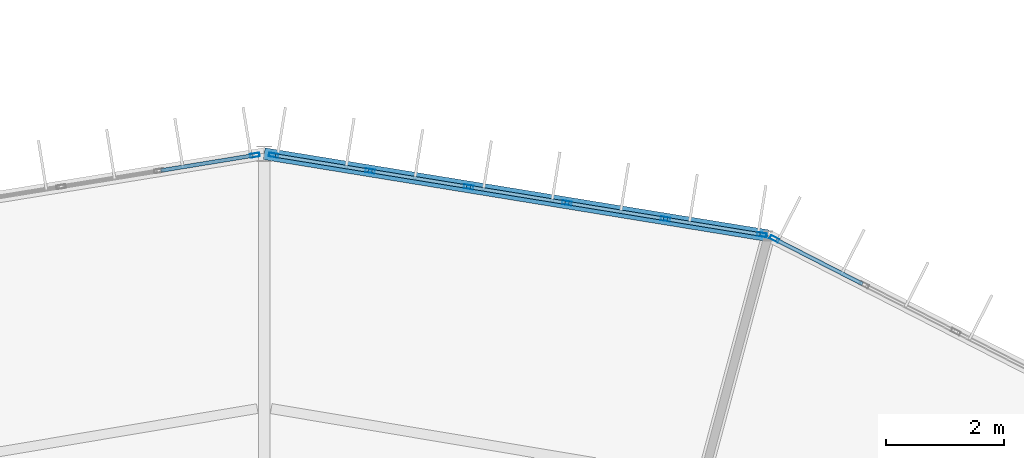
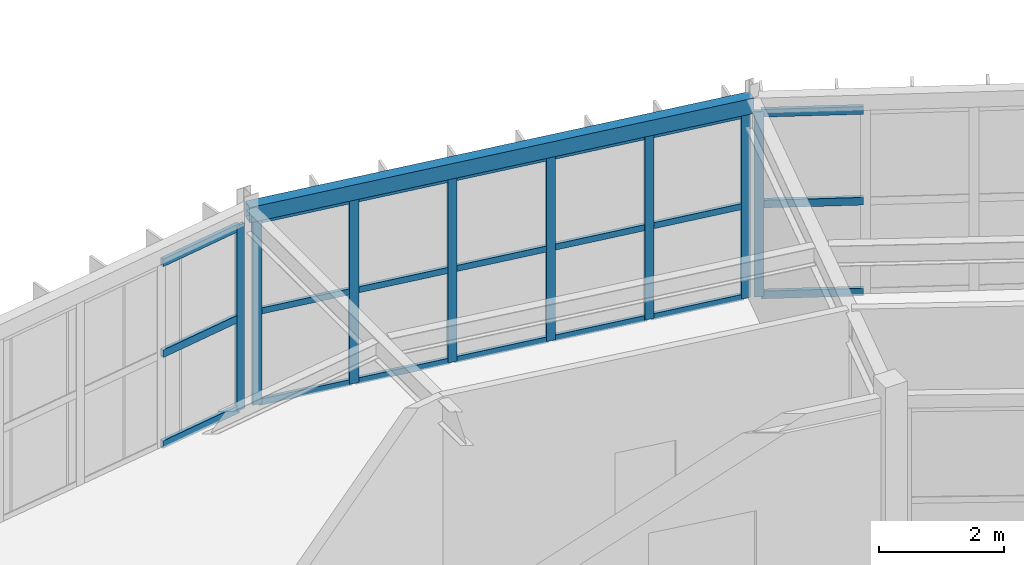
# One storey, part 101 of 157: 29 members, 1 beam, 3 elements without a shape of their own.
"""IFC4 building model written with IfcOpenShell, lengths in metres."""

from ifc_helpers import new_model, si_unit, direction, frame, origin, origin_2d, place, context, subcontext, project, spatial, hollow_rectangle, extrude, material, material_profile, profile_set, type_object, element, aggregate, save


model = new_model("IFC4")

# Units and contexts
model_context = context("Model", 3, precision=1e-05, world=origin(), true_north=direction((0.0, 1.0)))
body_context = subcontext(model_context, "Body", "Model", "MODEL_VIEW")
ifc_project = project(units=[si_unit("LENGTHUNIT", "METRE"), si_unit("AREAUNIT", "SQUARE_METRE"), si_unit("VOLUMEUNIT", "CUBIC_METRE"), si_unit("PLANEANGLEUNIT", "RADIAN"), si_unit("MASSUNIT", "GRAM", prefix="KILO")], contexts=[model_context])

# Site, building, storey
site_placement = place(None, origin())
site = spatial("IfcSite", under=ifc_project, at=site_placement, CompositionType="ELEMENT")
building_placement = place(site_placement, origin())
building = spatial("IfcBuilding", under=site, at=building_placement, Name="Karori Crest Natural Sciences Institute", CompositionType="ELEMENT")
storey_placement = place(building_placement, frame((0.0, 0.0, 13.300048828125)))
storey = spatial("IfcBuildingStorey", under=building, at=storey_placement, Name="L03", CompositionType="ELEMENT", Elevation=13.300048828125)

# Beam
ifc_material_1 = material(Name="Hollow structural steel AS/NZS 1163 Grade C350", Category="steel")
ifc_material_profile_1 = material_profile(ifc_material_1, hollow_rectangle(XDim=0.199951171875, YDim=0.300048828125, WallThickness=0.010009765625, at=origin_2d()), Name="RHS300x200x10")
ifc_profile_set_1 = profile_set([ifc_material_profile_1], Name="Hollow structural steel AS/NZS 1163 Grade C350")
beam_type = type_object("IfcBeamType", Name="BT-15", PredefinedType="SPANDREL", material=ifc_profile_set_1)
beam_placement = place(storey_placement, frame((74.94091796875, 89.309814453125, 3.7900390625), z_axis=(-0.987012055933, 0.160646199591, 0.0), x_axis=(-0.160646199591, -0.987012055933, 0.0)))
element("IfcBeam", 1, at=beam_placement, inside=storey, type_object=beam_type, Name="Beam B-0379", PredefinedType="SPANDREL", context=body_context, shape_type="SweptSolid", body=[
    extrude(hollow_rectangle(XDim=0.199951171875, YDim=0.300048828125, WallThickness=0.010009765625, at=origin_2d()), origin(), (0.0, 0.0, 1.0), 8.6533203125),
])

# Curtain wall, member
ifc_material_2 = material(Name="Anodised architectural aluminium 6063-T6", Category="aluminium")
curtain_wall_type_1 = type_object("IfcCurtainWallType", Name="CWT-05", PredefinedType="NOTDEFINED", material=ifc_material_2)
curtain_wall_1_placement = place(storey_placement, origin())
curtain_wall_1 = element("IfcCurtainWall", 2, at=curtain_wall_1_placement, inside=storey, type_object=curtain_wall_type_1, Name="Curtain wall CW-0106", PredefinedType="NOTDEFINED")
ifc_material_profile_2 = material_profile(ifc_material_2, hollow_rectangle(XDim=0.06494140625, YDim=0.159912109375, WallThickness=0.00390625, at=origin_2d()), Name="CWM160x65x4")
ifc_profile_set_2 = profile_set([ifc_material_profile_2], Name="Anodised architectural aluminium 6063-T6")
member_type_1 = type_object("IfcMemberType", Name="CWM-01", PredefinedType="MULLION", material=ifc_profile_set_2)
member_1_placement = place(storey_placement, frame((75.045166015625, 89.256591796875, 0.0), z_axis=(0.0, 0.0, 1.0), x_axis=(0.455828878252, 0.890067432138, 0.0)))
member_1 = element("IfcMember", 3, at=member_1_placement, type_object=member_type_1, Name="CW-0106 mullion 1", PredefinedType="MULLION", context=body_context, shape_type="SweptSolid", body=[
    extrude(hollow_rectangle(XDim=0.06494140625, YDim=0.159912109375, WallThickness=0.00390625, at=origin_2d()), origin(), (0.0, 0.0, 1.0), 3.625),
])

# Curtain wall, members
curtain_wall_type_2 = type_object("IfcCurtainWallType", Name="CWT-06", PredefinedType="NOTDEFINED", material=ifc_material_2)
curtain_wall_2_placement = place(storey_placement, origin())
curtain_wall_2 = element("IfcCurtainWall", 4, at=curtain_wall_2_placement, inside=storey, type_object=curtain_wall_type_2, Name="Curtain wall CW-0108", PredefinedType="NOTDEFINED")
member_2_placement = place(storey_placement, frame((66.55810546875, 90.67431640625, 0.0), z_axis=(0.0, 0.0, 1.0), x_axis=(0.160655493101, 0.987010543275, 0.0)))
member_2 = element("IfcMember", 5, at=member_2_placement, type_object=member_type_1, Name="CW-0108 mullion 1", PredefinedType="MULLION", context=body_context, shape_type="SweptSolid", body=[
    extrude(hollow_rectangle(XDim=0.06494140625, YDim=0.159912109375, WallThickness=0.00390625, at=origin_2d()), origin(), (0.0, 0.0, 1.0), 3.625),
])
member_3_placement = place(storey_placement, frame((68.194091796875, 90.407958984375, 0.0), z_axis=(0.0, 0.0, 1.0), x_axis=(0.160655493101, 0.987010543275, 0.0)))
member_3 = element("IfcMember", 6, at=member_3_placement, type_object=member_type_1, Name="CW-0108 mullion 2", PredefinedType="MULLION", context=body_context, shape_type="SweptSolid", body=[
    extrude(hollow_rectangle(XDim=0.06494140625, YDim=0.159912109375, WallThickness=0.00390625, at=origin_2d()), origin(), (0.0, 0.0, 1.0), 3.625),
])
member_4_placement = place(storey_placement, frame((69.862060546875, 90.136474609375, 0.0), z_axis=(0.0, 0.0, 1.0), x_axis=(0.160655493101, 0.987010543275, 0.0)))
member_4 = element("IfcMember", 7, at=member_4_placement, type_object=member_type_1, Name="CW-0108 mullion 3", PredefinedType="MULLION", context=body_context, shape_type="SweptSolid", body=[
    extrude(hollow_rectangle(XDim=0.06494140625, YDim=0.159912109375, WallThickness=0.00390625, at=origin_2d()), origin(), (0.0, 0.0, 1.0), 3.625),
])
member_5_placement = place(storey_placement, frame((71.530029296875, 89.864990234375, 0.0), z_axis=(0.0, 0.0, 1.0), x_axis=(0.160655493101, 0.987010543275, 0.0)))
member_5 = element("IfcMember", 8, at=member_5_placement, type_object=member_type_1, Name="CW-0108 mullion 4", PredefinedType="MULLION", context=body_context, shape_type="SweptSolid", body=[
    extrude(hollow_rectangle(XDim=0.06494140625, YDim=0.159912109375, WallThickness=0.00390625, at=origin_2d()), origin(), (0.0, 0.0, 1.0), 3.625),
])
member_6_placement = place(storey_placement, frame((73.197998046875, 89.593505859375, 0.0), z_axis=(0.0, 0.0, 1.0), x_axis=(0.160655493101, 0.987010543275, 0.0)))
member_6 = element("IfcMember", 9, at=member_6_placement, type_object=member_type_1, Name="CW-0108 mullion 5", PredefinedType="MULLION", context=body_context, shape_type="SweptSolid", body=[
    extrude(hollow_rectangle(XDim=0.06494140625, YDim=0.159912109375, WallThickness=0.00390625, at=origin_2d()), origin(), (0.0, 0.0, 1.0), 3.625),
])
member_7_placement = place(storey_placement, frame((74.833984375, 89.3271484375, 0.0), z_axis=(0.0, 0.0, 1.0), x_axis=(0.160655493101, 0.987010543275, 0.0)))
member_7 = element("IfcMember", 10, at=member_7_placement, type_object=member_type_1, Name="CW-0108 mullion 6", PredefinedType="MULLION", context=body_context, shape_type="SweptSolid", body=[
    extrude(hollow_rectangle(XDim=0.06494140625, YDim=0.159912109375, WallThickness=0.00390625, at=origin_2d()), origin(), (0.0, 0.0, 1.0), 3.625),
])

# Curtain wall, member
curtain_wall_type_3 = type_object("IfcCurtainWallType", Name="CWT-07", PredefinedType="NOTDEFINED", material=ifc_material_2)
curtain_wall_3_placement = place(storey_placement, origin())
curtain_wall_3 = element("IfcCurtainWall", 11, at=curtain_wall_3_placement, inside=storey, type_object=curtain_wall_type_3, Name="Curtain wall CW-0109", PredefinedType="NOTDEFINED")
member_8_placement = place(storey_placement, frame((66.241943359375, 90.67431640625, 0.0), z_axis=(0.0, 0.0, 1.0), x_axis=(-0.160650246484, 0.987011397252, 0.0)))
member_8 = element("IfcMember", 12, at=member_8_placement, type_object=member_type_1, Name="CW-0109 mullion 6", PredefinedType="MULLION", context=body_context, shape_type="SweptSolid", body=[
    extrude(hollow_rectangle(XDim=0.06494140625, YDim=0.159912109375, WallThickness=0.00390625, at=origin_2d()), origin(), (0.0, 0.0, 1.0), 3.625),
])

# Member
ifc_material_profile_3 = material_profile(ifc_material_2, hollow_rectangle(XDim=0.06005859375, YDim=0.1201171875, WallThickness=0.00390625, at=origin_2d()), Name="CWT120x60x4")
ifc_profile_set_3 = profile_set([ifc_material_profile_3], Name="Anodised architectural aluminium 6063-T6")
member_type_2 = type_object("IfcMemberType", Name="CWT-TR1", PredefinedType="USERDEFINED", material=ifc_profile_set_3)
member_9_placement = place(storey_placement, frame((66.590087890625, 90.6689453125, 0.030029296875), z_axis=(0.987032702113, -0.160519297781, 0.0), x_axis=(0.160519297781, 0.987032702113, 0.0)))
member_9 = element("IfcMember", 13, at=member_9_placement, type_object=member_type_2, Name="CW-0108 transom 1.1", ObjectType="TRANSOM", PredefinedType="USERDEFINED", context=body_context, shape_type="SweptSolid", body=[
    extrude(hollow_rectangle(XDim=0.06005859375, YDim=0.1201171875, WallThickness=0.00390625, at=origin_2d()), origin(), (0.0, 0.0, 1.0), 1.592529296875),
])

member_10_placement = place(storey_placement, frame((66.590087890625, 90.6689453125, 1.8125), z_axis=(0.987032702113, -0.160519297781, 0.0), x_axis=(0.160519297781, 0.987032702113, 0.0)))
member_10 = element("IfcMember", 14, at=member_10_placement, type_object=member_type_2, Name="CW-0108 transom 1.2", ObjectType="TRANSOM", PredefinedType="USERDEFINED", context=body_context, shape_type="SweptSolid", body=[
    extrude(hollow_rectangle(XDim=0.06005859375, YDim=0.1201171875, WallThickness=0.00390625, at=origin_2d()), origin(), (0.0, 0.0, 1.0), 1.592529296875),
])

member_11_placement = place(storey_placement, frame((66.590087890625, 90.6689453125, 3.594970703125), z_axis=(0.987032702113, -0.160519297781, 0.0), x_axis=(0.160519297781, 0.987032702113, 0.0)))
member_11 = element("IfcMember", 15, at=member_11_placement, type_object=member_type_2, Name="CW-0108 transom 1.3", ObjectType="TRANSOM", PredefinedType="USERDEFINED", context=body_context, shape_type="SweptSolid", body=[
    extrude(hollow_rectangle(XDim=0.06005859375, YDim=0.1201171875, WallThickness=0.00390625, at=origin_2d()), origin(), (0.0, 0.0, 1.0), 1.592529296875),
])

member_12_placement = place(storey_placement, frame((68.22607421875, 90.40283203125, 0.030029296875), z_axis=(0.98699230398, -0.160767508793, 0.0), x_axis=(0.160767508793, 0.98699230398, 0.0)))
member_12 = element("IfcMember", 16, at=member_12_placement, type_object=member_type_2, Name="CW-0108 transom 2.1", ObjectType="TRANSOM", PredefinedType="USERDEFINED", context=body_context, shape_type="SweptSolid", body=[
    extrude(hollow_rectangle(XDim=0.06005859375, YDim=0.1201171875, WallThickness=0.00390625, at=origin_2d()), origin(), (0.0, 0.0, 1.0), 1.625),
])

member_13_placement = place(storey_placement, frame((68.22607421875, 90.40283203125, 1.8125), z_axis=(0.98699230398, -0.160767508793, 0.0), x_axis=(0.160767508793, 0.98699230398, 0.0)))
member_13 = element("IfcMember", 17, at=member_13_placement, type_object=member_type_2, Name="CW-0108 transom 2.2", ObjectType="TRANSOM", PredefinedType="USERDEFINED", context=body_context, shape_type="SweptSolid", body=[
    extrude(hollow_rectangle(XDim=0.06005859375, YDim=0.1201171875, WallThickness=0.00390625, at=origin_2d()), origin(), (0.0, 0.0, 1.0), 1.625),
])

member_14_placement = place(storey_placement, frame((68.22607421875, 90.40283203125, 3.594970703125), z_axis=(0.98699230398, -0.160767508793, 0.0), x_axis=(0.160767508793, 0.98699230398, 0.0)))
member_14 = element("IfcMember", 18, at=member_14_placement, type_object=member_type_2, Name="CW-0108 transom 2.3", ObjectType="TRANSOM", PredefinedType="USERDEFINED", context=body_context, shape_type="SweptSolid", body=[
    extrude(hollow_rectangle(XDim=0.06005859375, YDim=0.1201171875, WallThickness=0.00390625, at=origin_2d()), origin(), (0.0, 0.0, 1.0), 1.625),
])

member_15_placement = place(storey_placement, frame((69.89404296875, 90.13134765625, 0.030029296875), z_axis=(0.98699230398, -0.160767508793, 0.0), x_axis=(0.160767508793, 0.98699230398, 0.0)))
member_15 = element("IfcMember", 19, at=member_15_placement, type_object=member_type_2, Name="CW-0108 transom 3.1", ObjectType="TRANSOM", PredefinedType="USERDEFINED", context=body_context, shape_type="SweptSolid", body=[
    extrude(hollow_rectangle(XDim=0.06005859375, YDim=0.1201171875, WallThickness=0.00390625, at=origin_2d()), origin(), (0.0, 0.0, 1.0), 1.625),
])

member_16_placement = place(storey_placement, frame((69.89404296875, 90.13134765625, 1.8125), z_axis=(0.98699230398, -0.160767508793, 0.0), x_axis=(0.160767508793, 0.98699230398, 0.0)))
member_16 = element("IfcMember", 20, at=member_16_placement, type_object=member_type_2, Name="CW-0108 transom 3.2", ObjectType="TRANSOM", PredefinedType="USERDEFINED", context=body_context, shape_type="SweptSolid", body=[
    extrude(hollow_rectangle(XDim=0.06005859375, YDim=0.1201171875, WallThickness=0.00390625, at=origin_2d()), origin(), (0.0, 0.0, 1.0), 1.625),
])

member_17_placement = place(storey_placement, frame((69.89404296875, 90.13134765625, 3.594970703125), z_axis=(0.98699230398, -0.160767508793, 0.0), x_axis=(0.160767508793, 0.98699230398, 0.0)))
member_17 = element("IfcMember", 21, at=member_17_placement, type_object=member_type_2, Name="CW-0108 transom 3.3", ObjectType="TRANSOM", PredefinedType="USERDEFINED", context=body_context, shape_type="SweptSolid", body=[
    extrude(hollow_rectangle(XDim=0.06005859375, YDim=0.1201171875, WallThickness=0.00390625, at=origin_2d()), origin(), (0.0, 0.0, 1.0), 1.625),
])

member_18_placement = place(storey_placement, frame((71.56201171875, 89.85986328125, 0.030029296875), z_axis=(0.986996186507, -0.160743671166, 0.0), x_axis=(0.160743671166, 0.986996186507, 0.0)))
member_18 = element("IfcMember", 22, at=member_18_placement, type_object=member_type_2, Name="CW-0108 transom 4.1", ObjectType="TRANSOM", PredefinedType="USERDEFINED", context=body_context, shape_type="SweptSolid", body=[
    extrude(hollow_rectangle(XDim=0.06005859375, YDim=0.1201171875, WallThickness=0.00390625, at=origin_2d()), origin(), (0.0, 0.0, 1.0), 1.625244140625),
])

member_19_placement = place(storey_placement, frame((71.56201171875, 89.85986328125, 1.8125), z_axis=(0.986996186507, -0.160743671166, 0.0), x_axis=(0.160743671166, 0.986996186507, 0.0)))
member_19 = element("IfcMember", 23, at=member_19_placement, type_object=member_type_2, Name="CW-0108 transom 4.2", ObjectType="TRANSOM", PredefinedType="USERDEFINED", context=body_context, shape_type="SweptSolid", body=[
    extrude(hollow_rectangle(XDim=0.06005859375, YDim=0.1201171875, WallThickness=0.00390625, at=origin_2d()), origin(), (0.0, 0.0, 1.0), 1.625244140625),
])

member_20_placement = place(storey_placement, frame((71.56201171875, 89.85986328125, 3.594970703125), z_axis=(0.986996186507, -0.160743671166, 0.0), x_axis=(0.160743671166, 0.986996186507, 0.0)))
member_20 = element("IfcMember", 24, at=member_20_placement, type_object=member_type_2, Name="CW-0108 transom 4.3", ObjectType="TRANSOM", PredefinedType="USERDEFINED", context=body_context, shape_type="SweptSolid", body=[
    extrude(hollow_rectangle(XDim=0.06005859375, YDim=0.1201171875, WallThickness=0.00390625, at=origin_2d()), origin(), (0.0, 0.0, 1.0), 1.625244140625),
])

member_21_placement = place(storey_placement, frame((73.22998046875, 89.58837890625, 0.030029296875), z_axis=(0.987008400747, -0.16066865548, 0.0), x_axis=(0.16066865548, 0.987008400747, 0.0)))
member_21 = element("IfcMember", 25, at=member_21_placement, type_object=member_type_2, Name="CW-0108 transom 5.1", ObjectType="TRANSOM", PredefinedType="USERDEFINED", context=body_context, shape_type="SweptSolid", body=[
    extrude(hollow_rectangle(XDim=0.06005859375, YDim=0.1201171875, WallThickness=0.00390625, at=origin_2d()), origin(), (0.0, 0.0, 1.0), 1.592529296875),
])

member_22_placement = place(storey_placement, frame((73.22998046875, 89.58837890625, 1.8125), z_axis=(0.987008400747, -0.16066865548, 0.0), x_axis=(0.16066865548, 0.987008400747, 0.0)))
member_22 = element("IfcMember", 26, at=member_22_placement, type_object=member_type_2, Name="CW-0108 transom 5.2", ObjectType="TRANSOM", PredefinedType="USERDEFINED", context=body_context, shape_type="SweptSolid", body=[
    extrude(hollow_rectangle(XDim=0.06005859375, YDim=0.1201171875, WallThickness=0.00390625, at=origin_2d()), origin(), (0.0, 0.0, 1.0), 1.592529296875),
])

member_23_placement = place(storey_placement, frame((73.22998046875, 89.58837890625, 3.594970703125), z_axis=(0.987008400747, -0.16066865548, 0.0), x_axis=(0.16066865548, 0.987008400747, 0.0)))
member_23 = element("IfcMember", 27, at=member_23_placement, type_object=member_type_2, Name="CW-0108 transom 5.3", ObjectType="TRANSOM", PredefinedType="USERDEFINED", context=body_context, shape_type="SweptSolid", body=[
    extrude(hollow_rectangle(XDim=0.06005859375, YDim=0.1201171875, WallThickness=0.00390625, at=origin_2d()), origin(), (0.0, 0.0, 1.0), 1.592529296875),
])

aggregate(curtain_wall_2, [member_2, member_3, member_4, member_5, member_6, member_7, member_9, member_10, member_11, member_12, member_13, member_14, member_15, member_16, member_17, member_18, member_19, member_20, member_21, member_22, member_23])

ifc_material_profile_4 = material_profile(ifc_material_2, hollow_rectangle(XDim=0.06494140625, YDim=0.14990234375, WallThickness=0.00390625, at=origin_2d()), Name="CWT150x65x4")
ifc_profile_set_4 = profile_set([ifc_material_profile_4], Name="Anodised architectural aluminium 6063-T6")
member_type_3 = type_object("IfcMemberType", Name="CWT-TR2", PredefinedType="USERDEFINED", material=ifc_profile_set_4)
member_24_placement = place(storey_placement, frame((75.073974609375, 89.24169921875, 0.032470703125), z_axis=(0.890084461025, -0.455795625518, 0.0), x_axis=(0.455795625518, 0.890084461025, 0.0)))
member_24 = element("IfcMember", 28, at=member_24_placement, type_object=member_type_3, Name="CW-0106 transom 1.1", ObjectType="TRANSOM", PredefinedType="USERDEFINED", context=body_context, shape_type="SweptSolid", body=[
    extrude(hollow_rectangle(XDim=0.06494140625, YDim=0.14990234375, WallThickness=0.00390625, at=origin_2d()), origin(), (0.0, 0.0, 1.0), 1.64599609375),
])

member_25_placement = place(storey_placement, frame((75.073974609375, 89.24169921875, 1.8125), z_axis=(0.890084461025, -0.455795625518, 0.0), x_axis=(0.455795625518, 0.890084461025, 0.0)))
member_25 = element("IfcMember", 29, at=member_25_placement, type_object=member_type_3, Name="CW-0106 transom 1.2", ObjectType="TRANSOM", PredefinedType="USERDEFINED", context=body_context, shape_type="SweptSolid", body=[
    extrude(hollow_rectangle(XDim=0.06494140625, YDim=0.14990234375, WallThickness=0.00390625, at=origin_2d()), origin(), (0.0, 0.0, 1.0), 1.64599609375),
])

member_26_placement = place(storey_placement, frame((75.073974609375, 89.24169921875, 3.592529296875), z_axis=(0.890084461025, -0.455795625518, 0.0), x_axis=(0.455795625518, 0.890084461025, 0.0)))
member_26 = element("IfcMember", 30, at=member_26_placement, type_object=member_type_3, Name="CW-0106 transom 1.3", ObjectType="TRANSOM", PredefinedType="USERDEFINED", context=body_context, shape_type="SweptSolid", body=[
    extrude(hollow_rectangle(XDim=0.06494140625, YDim=0.14990234375, WallThickness=0.00390625, at=origin_2d()), origin(), (0.0, 0.0, 1.0), 1.64599609375),
])

aggregate(curtain_wall_1, [member_1, member_24, member_25, member_26])

member_27_placement = place(storey_placement, frame((64.648193359375, 90.414794921875, 0.032470703125), z_axis=(0.987016373134, 0.160619672414, 0.0), x_axis=(-0.160619672414, 0.987016373134, 0.0)))
member_27 = element("IfcMember", 31, at=member_27_placement, type_object=member_type_3, Name="CW-0109 transom 5.1", ObjectType="TRANSOM", PredefinedType="USERDEFINED", context=body_context, shape_type="SweptSolid", body=[
    extrude(hollow_rectangle(XDim=0.06494140625, YDim=0.14990234375, WallThickness=0.00390625, at=origin_2d()), origin(), (0.0, 0.0, 1.0), 1.582275390625),
])

member_28_placement = place(storey_placement, frame((64.648193359375, 90.414794921875, 1.8125), z_axis=(0.987016373134, 0.160619672414, 0.0), x_axis=(-0.160619672414, 0.987016373134, 0.0)))
member_28 = element("IfcMember", 32, at=member_28_placement, type_object=member_type_3, Name="CW-0109 transom 5.2", ObjectType="TRANSOM", PredefinedType="USERDEFINED", context=body_context, shape_type="SweptSolid", body=[
    extrude(hollow_rectangle(XDim=0.06494140625, YDim=0.14990234375, WallThickness=0.00390625, at=origin_2d()), origin(), (0.0, 0.0, 1.0), 1.582275390625),
])

member_29_placement = place(storey_placement, frame((64.648193359375, 90.414794921875, 3.592529296875), z_axis=(0.987016373134, 0.160619672414, 0.0), x_axis=(-0.160619672414, 0.987016373134, 0.0)))
member_29 = element("IfcMember", 33, at=member_29_placement, type_object=member_type_3, Name="CW-0109 transom 5.3", ObjectType="TRANSOM", PredefinedType="USERDEFINED", context=body_context, shape_type="SweptSolid", body=[
    extrude(hollow_rectangle(XDim=0.06494140625, YDim=0.14990234375, WallThickness=0.00390625, at=origin_2d()), origin(), (0.0, 0.0, 1.0), 1.582275390625),
])

aggregate(curtain_wall_3, [member_8, member_27, member_28, member_29])

save(model, "model.ifc")
